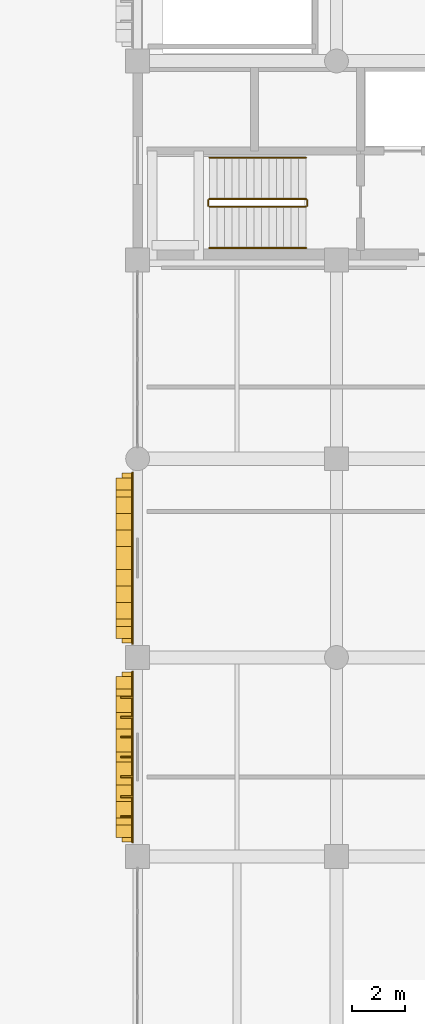
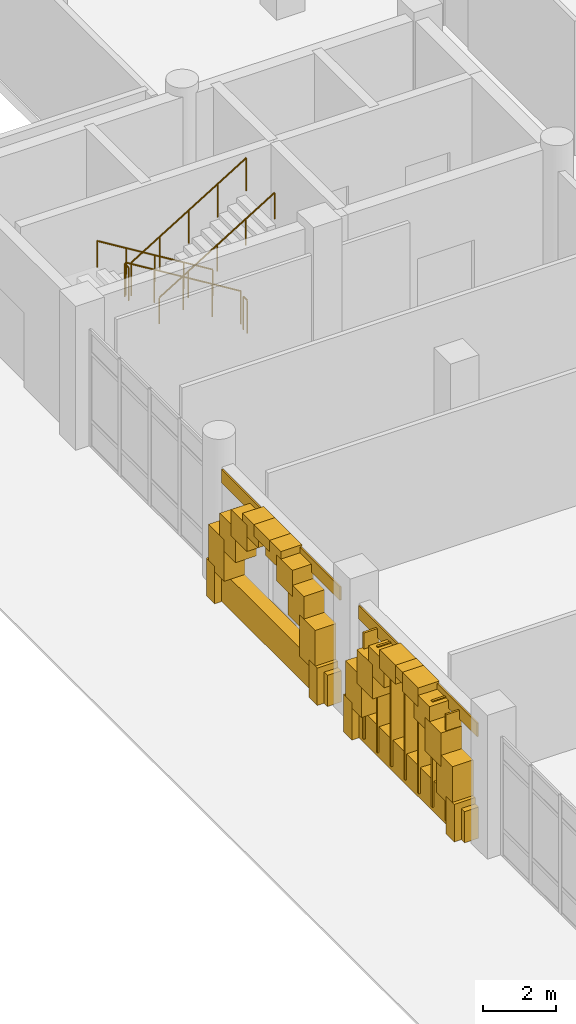
# One storey, part 103 of 125: 26 coverings, 7 shading devices, 6 railings.
"""IFC4 building model written with IfcOpenShell, lengths in metres."""

from ifc_helpers import new_model, si_unit, direction, frame, origin, origin_2d, place, context, subcontext, project, spatial, rectangle, circle, extrude, material, layer, layer_set, type_object, element, save


model = new_model("IFC4")

# Units and contexts
model_context = context("Model", 3, precision=1e-05, world=origin(), true_north=direction((0.0, 1.0)))
body_context = subcontext(model_context, "Body", "Model", "MODEL_VIEW")
ifc_project = project(units=[si_unit("LENGTHUNIT", "METRE"), si_unit("AREAUNIT", "SQUARE_METRE"), si_unit("VOLUMEUNIT", "CUBIC_METRE"), si_unit("PLANEANGLEUNIT", "RADIAN"), si_unit("MASSUNIT", "GRAM", prefix="KILO")], contexts=[model_context])

# Site, building, storey
site_placement = place(None, origin())
site = spatial("IfcSite", under=ifc_project, at=site_placement, CompositionType="ELEMENT")
building_placement = place(site_placement, origin())
building = spatial("IfcBuilding", under=site, at=building_placement, Name="Dalvernix Boulevard General Hospital", CompositionType="ELEMENT")
storey_placement = place(building_placement, origin())
storey = spatial("IfcBuildingStorey", under=building, at=storey_placement, Name="L00", CompositionType="ELEMENT", Elevation=0.0)

# Coverings
ifc_material_1 = material(Name="Pressed Catalan clay brick and dressed limestone parabolic archivolt", Category="masonry")
ifc_layer_1 = layer(ifc_material_1, 0.419921875)
ifc_layer_set_1 = layer_set([ifc_layer_1], Name="Pressed Catalan clay brick and dressed limestone parabolic archivolt (COV-ARC-01)")
covering_type_1 = type_object("IfcCoveringType", Name="COV-ARC-01", PredefinedType="CLADDING", material=ifc_layer_set_1)
for number, where, z_axis, x_axis, name in (
    (1, (-0.485107421875, 32.449951171875, 0.0), (0.0, 0.0, 1.0), (0.0, 1.0, 0.0), "L00 Catalan parabolic arch impost pier W 0-4-L"),
    (2, (-0.485107421875, 38.050048828125, 0.0), (0.0, 0.0, 1.0), (0.0, 1.0, 0.0), "L00 Catalan parabolic arch impost pier W 0-4-R"),
):
    element("IfcCovering", number, at=place(storey_placement, frame(where, z_axis=z_axis, x_axis=x_axis)), inside=storey, type_object=covering_type_1, Name=name, PredefinedType="CLADDING", context=body_context, shape_type="SweptSolid", body=[
        extrude(rectangle(XDim=0.4599609375, YDim=0.659912109375, at=origin_2d()), origin(), (0.0, 0.0, 1.0), 1.25),
    ])
covering_1_placement = place(storey_placement, frame((-0.485107421875, 32.760986328125, 1.06005859375), z_axis=(0.0, 0.0, 1.0), x_axis=(0.0, 1.0, 0.0)))
element("IfcCovering", 3, at=covering_1_placement, inside=storey, type_object=covering_type_1, Name="L00 Catalan parabolic archivolt voussoir W 0-4-1", PredefinedType="CLADDING", context=body_context, shape_type="SweptSolid", body=[
    extrude(rectangle(XDim=0.8623046875, YDim=0.659912109375, at=origin_2d()), origin(), (0.0, 0.0, 1.0), 1.37939453125),
])
covering_2_placement = place(storey_placement, frame((-0.485107421875, 33.38330078125, 2.0595703125), z_axis=(0.0, 0.0, 1.0), x_axis=(0.0, 1.0, 0.0)))
element("IfcCovering", 4, at=covering_2_placement, inside=storey, type_object=covering_type_1, Name="L00 Catalan parabolic archivolt voussoir W 0-4-2", PredefinedType="CLADDING", context=body_context, shape_type="SweptSolid", body=[
    extrude(rectangle(XDim=0.8623046875, YDim=0.659912109375, at=origin_2d()), origin(), (0.0, 0.0, 1.0), 1.129638671875),
])
covering_3_placement = place(storey_placement, frame((-0.485107421875, 34.005615234375, 2.80908203125), z_axis=(0.0, 0.0, 1.0), x_axis=(0.0, 1.0, 0.0)))
element("IfcCovering", 5, at=covering_3_placement, inside=storey, type_object=covering_type_1, Name="L00 Catalan parabolic archivolt voussoir W 0-4-3", PredefinedType="CLADDING", context=body_context, shape_type="SweptSolid", body=[
    extrude(rectangle(XDim=0.8623046875, YDim=0.659912109375, at=origin_2d()), origin(), (0.0, 0.0, 1.0), 0.8798828125),
])
covering_4_placement = place(storey_placement, frame((-0.485107421875, 34.627685546875, 3.308837890625), z_axis=(0.0, 0.0, 1.0), x_axis=(0.0, 1.0, 0.0)))
element("IfcCovering", 6, at=covering_4_placement, inside=storey, type_object=covering_type_1, Name="L00 Catalan parabolic archivolt voussoir W 0-4-4", PredefinedType="CLADDING", context=body_context, shape_type="SweptSolid", body=[
    extrude(rectangle(XDim=0.8623046875, YDim=0.659912109375, at=origin_2d()), origin(), (0.0, 0.0, 1.0), 0.6298828125),
])
covering_5_placement = place(storey_placement, frame((-0.485107421875, 35.25, 3.558837890625), z_axis=(0.0, 0.0, 1.0), x_axis=(0.0, 1.0, 0.0)))
element("IfcCovering", 7, at=covering_5_placement, inside=storey, type_object=covering_type_1, Name="L00 Catalan parabolic archivolt voussoir W 0-4-5", PredefinedType="CLADDING", context=body_context, shape_type="SweptSolid", body=[
    extrude(rectangle(XDim=0.8623046875, YDim=0.659912109375, at=origin_2d()), origin(), (0.0, 0.0, 1.0), 0.3798828125),
])
covering_6_placement = place(storey_placement, frame((-0.485107421875, 35.872314453125, 3.308837890625), z_axis=(0.0, 0.0, 1.0), x_axis=(0.0, 1.0, 0.0)))
element("IfcCovering", 8, at=covering_6_placement, inside=storey, type_object=covering_type_1, Name="L00 Catalan parabolic archivolt voussoir W 0-4-6", PredefinedType="CLADDING", context=body_context, shape_type="SweptSolid", body=[
    extrude(rectangle(XDim=0.8623046875, YDim=0.659912109375, at=origin_2d()), origin(), (0.0, 0.0, 1.0), 0.6298828125),
])
covering_7_placement = place(storey_placement, frame((-0.485107421875, 36.494384765625, 2.80908203125), z_axis=(0.0, 0.0, 1.0), x_axis=(0.0, 1.0, 0.0)))
element("IfcCovering", 9, at=covering_7_placement, inside=storey, type_object=covering_type_1, Name="L00 Catalan parabolic archivolt voussoir W 0-4-7", PredefinedType="CLADDING", context=body_context, shape_type="SweptSolid", body=[
    extrude(rectangle(XDim=0.8623046875, YDim=0.659912109375, at=origin_2d()), origin(), (0.0, 0.0, 1.0), 0.8798828125),
])
covering_8_placement = place(storey_placement, frame((-0.485107421875, 37.11669921875, 2.0595703125), z_axis=(0.0, 0.0, 1.0), x_axis=(0.0, 1.0, 0.0)))
element("IfcCovering", 10, at=covering_8_placement, inside=storey, type_object=covering_type_1, Name="L00 Catalan parabolic archivolt voussoir W 0-4-8", PredefinedType="CLADDING", context=body_context, shape_type="SweptSolid", body=[
    extrude(rectangle(XDim=0.8623046875, YDim=0.659912109375, at=origin_2d()), origin(), (0.0, 0.0, 1.0), 1.129638671875),
])
covering_9_placement = place(storey_placement, frame((-0.485107421875, 37.739013671875, 1.06005859375), z_axis=(0.0, 0.0, 1.0), x_axis=(0.0, 1.0, 0.0)))
element("IfcCovering", 11, at=covering_9_placement, inside=storey, type_object=covering_type_1, Name="L00 Catalan parabolic archivolt voussoir W 0-4-9", PredefinedType="CLADDING", context=body_context, shape_type="SweptSolid", body=[
    extrude(rectangle(XDim=0.8623046875, YDim=0.659912109375, at=origin_2d()), origin(), (0.0, 0.0, 1.0), 1.37939453125),
])
for number, where, z_axis, x_axis, name in (
    (12, (-0.485107421875, 39.949951171875, 0.0), (0.0, 0.0, 1.0), (0.0, 1.0, 0.0), "L00 Catalan parabolic arch impost pier W 0-5-L"),
    (13, (-0.485107421875, 45.550048828125, 0.0), (0.0, 0.0, 1.0), (0.0, 1.0, 0.0), "L00 Catalan parabolic arch impost pier W 0-5-R"),
):
    element("IfcCovering", number, at=place(storey_placement, frame(where, z_axis=z_axis, x_axis=x_axis)), inside=storey, type_object=covering_type_1, Name=name, PredefinedType="CLADDING", context=body_context, shape_type="SweptSolid", body=[
        extrude(rectangle(XDim=0.4599609375, YDim=0.659912109375, at=origin_2d()), origin(), (0.0, 0.0, 1.0), 1.25),
    ])
covering_10_placement = place(storey_placement, frame((-0.485107421875, 40.260986328125, 1.06005859375), z_axis=(0.0, 0.0, 1.0), x_axis=(0.0, 1.0, 0.0)))
element("IfcCovering", 14, at=covering_10_placement, inside=storey, type_object=covering_type_1, Name="L00 Catalan parabolic archivolt voussoir W 0-5-1", PredefinedType="CLADDING", context=body_context, shape_type="SweptSolid", body=[
    extrude(rectangle(XDim=0.8623046875, YDim=0.659912109375, at=origin_2d()), origin(), (0.0, 0.0, 1.0), 1.37939453125),
])
covering_11_placement = place(storey_placement, frame((-0.485107421875, 40.88330078125, 2.0595703125), z_axis=(0.0, 0.0, 1.0), x_axis=(0.0, 1.0, 0.0)))
element("IfcCovering", 15, at=covering_11_placement, inside=storey, type_object=covering_type_1, Name="L00 Catalan parabolic archivolt voussoir W 0-5-2", PredefinedType="CLADDING", context=body_context, shape_type="SweptSolid", body=[
    extrude(rectangle(XDim=0.8623046875, YDim=0.659912109375, at=origin_2d()), origin(), (0.0, 0.0, 1.0), 1.129638671875),
])
covering_12_placement = place(storey_placement, frame((-0.485107421875, 41.505615234375, 2.80908203125), z_axis=(0.0, 0.0, 1.0), x_axis=(0.0, 1.0, 0.0)))
element("IfcCovering", 16, at=covering_12_placement, inside=storey, type_object=covering_type_1, Name="L00 Catalan parabolic archivolt voussoir W 0-5-3", PredefinedType="CLADDING", context=body_context, shape_type="SweptSolid", body=[
    extrude(rectangle(XDim=0.8623046875, YDim=0.659912109375, at=origin_2d()), origin(), (0.0, 0.0, 1.0), 0.8798828125),
])
covering_13_placement = place(storey_placement, frame((-0.485107421875, 42.127685546875, 3.308837890625), z_axis=(0.0, 0.0, 1.0), x_axis=(0.0, 1.0, 0.0)))
element("IfcCovering", 17, at=covering_13_placement, inside=storey, type_object=covering_type_1, Name="L00 Catalan parabolic archivolt voussoir W 0-5-4", PredefinedType="CLADDING", context=body_context, shape_type="SweptSolid", body=[
    extrude(rectangle(XDim=0.8623046875, YDim=0.659912109375, at=origin_2d()), origin(), (0.0, 0.0, 1.0), 0.6298828125),
])
covering_14_placement = place(storey_placement, frame((-0.485107421875, 42.75, 3.558837890625), z_axis=(0.0, 0.0, 1.0), x_axis=(0.0, 1.0, 0.0)))
element("IfcCovering", 18, at=covering_14_placement, inside=storey, type_object=covering_type_1, Name="L00 Catalan parabolic archivolt voussoir W 0-5-5", PredefinedType="CLADDING", context=body_context, shape_type="SweptSolid", body=[
    extrude(rectangle(XDim=0.8623046875, YDim=0.659912109375, at=origin_2d()), origin(), (0.0, 0.0, 1.0), 0.3798828125),
])
covering_15_placement = place(storey_placement, frame((-0.485107421875, 43.372314453125, 3.308837890625), z_axis=(0.0, 0.0, 1.0), x_axis=(0.0, 1.0, 0.0)))
element("IfcCovering", 19, at=covering_15_placement, inside=storey, type_object=covering_type_1, Name="L00 Catalan parabolic archivolt voussoir W 0-5-6", PredefinedType="CLADDING", context=body_context, shape_type="SweptSolid", body=[
    extrude(rectangle(XDim=0.8623046875, YDim=0.659912109375, at=origin_2d()), origin(), (0.0, 0.0, 1.0), 0.6298828125),
])
covering_16_placement = place(storey_placement, frame((-0.485107421875, 43.994384765625, 2.80908203125), z_axis=(0.0, 0.0, 1.0), x_axis=(0.0, 1.0, 0.0)))
element("IfcCovering", 20, at=covering_16_placement, inside=storey, type_object=covering_type_1, Name="L00 Catalan parabolic archivolt voussoir W 0-5-7", PredefinedType="CLADDING", context=body_context, shape_type="SweptSolid", body=[
    extrude(rectangle(XDim=0.8623046875, YDim=0.659912109375, at=origin_2d()), origin(), (0.0, 0.0, 1.0), 0.8798828125),
])
covering_17_placement = place(storey_placement, frame((-0.485107421875, 44.61669921875, 2.0595703125), z_axis=(0.0, 0.0, 1.0), x_axis=(0.0, 1.0, 0.0)))
element("IfcCovering", 21, at=covering_17_placement, inside=storey, type_object=covering_type_1, Name="L00 Catalan parabolic archivolt voussoir W 0-5-8", PredefinedType="CLADDING", context=body_context, shape_type="SweptSolid", body=[
    extrude(rectangle(XDim=0.8623046875, YDim=0.659912109375, at=origin_2d()), origin(), (0.0, 0.0, 1.0), 1.129638671875),
])
covering_18_placement = place(storey_placement, frame((-0.485107421875, 45.239013671875, 1.06005859375), z_axis=(0.0, 0.0, 1.0), x_axis=(0.0, 1.0, 0.0)))
element("IfcCovering", 22, at=covering_18_placement, inside=storey, type_object=covering_type_1, Name="L00 Catalan parabolic archivolt voussoir W 0-5-9", PredefinedType="CLADDING", context=body_context, shape_type="SweptSolid", body=[
    extrude(rectangle(XDim=0.8623046875, YDim=0.659912109375, at=origin_2d()), origin(), (0.0, 0.0, 1.0), 1.37939453125),
])
ifc_material_2 = material(Name="Polychrome Catalan glazed ceramic spandrel tile panel")
ifc_layer_2 = layer(ifc_material_2, 0.044921875)
ifc_layer_set_2 = layer_set([ifc_layer_2], Name="Polychrome Catalan glazed ceramic spandrel tile panel (COV-CLD-01)")
covering_type_2 = type_object("IfcCoveringType", Name="COV-CLD-01", PredefinedType="CLADDING", material=ifc_layer_set_2)
for number, where, z_axis, x_axis, name in (
    (23, (-0.195068359375, 35.25, 3.4248046875), (0.0, 0.0, 1.0), (0.0, 1.0, 0.0), "L00 polychrome ceramic spandrel W 0-4"),
    (24, (-0.195068359375, 42.75, 3.4248046875), (0.0, 0.0, 1.0), (0.0, 1.0, 0.0), "L00 polychrome ceramic spandrel W 0-5"),
):
    element("IfcCovering", number, at=place(storey_placement, frame(where, z_axis=z_axis, x_axis=x_axis)), inside=storey, type_object=covering_type_2, Name=name, PredefinedType="CLADDING", context=body_context, shape_type="SweptSolid", body=[
        extrude(rectangle(XDim=6.47998046875, YDim=0.044921875, at=origin_2d()), origin(), (0.0, 0.0, 1.0), 0.449951171875),
    ])
ifc_material_3 = material(Name="Dressed ochre limestone classical plinth, stringcourse and corbelled cornice", Category="masonry")
ifc_layer_3 = layer(ifc_material_3, 0.449951171875)
ifc_layer_set_3 = layer_set([ifc_layer_3], Name="Dressed ochre limestone classical plinth, stringcourse and corbelled cornice (COV-CRN-01)")
covering_type_3 = type_object("IfcCoveringType", Name="COV-CRN-01", PredefinedType="CLADDING", material=ifc_layer_set_3)
for number, where, z_axis, x_axis, name in (
    (25, (-0.375, 35.25, 0.0), (0.0, 0.0, 1.0), (0.0, 1.0, 0.0), "L00 rusticated limestone classical plinth W 0-4"),
    (26, (-0.375, 42.75, 0.0), (0.0, 0.0, 1.0), (0.0, 1.0, 0.0), "L00 rusticated limestone classical plinth W 0-5"),
):
    element("IfcCovering", number, at=place(storey_placement, frame(where, z_axis=z_axis, x_axis=x_axis)), inside=storey, type_object=covering_type_3, Name=name, PredefinedType="CLADDING", context=body_context, shape_type="SweptSolid", body=[
        extrude(rectangle(XDim=6.419921875, YDim=0.43994140625, at=origin_2d()), origin(), (0.0, 0.0, 1.0), 1.0400390625),
    ])

# Railings
ifc_material_4 = material(Name="Brushed stainless steel balustrade", Category="steel")
railing_type_1 = type_object("IfcRailingType", Name="RL-GR-INT1", PredefinedType="BALUSTRADE", material=ifc_material_4)
railing_1_placement = place(storey_placement, frame((6.35009765625, 56.300048828125, 0.17138671875)))
element("IfcRailing", 27, at=railing_1_placement, inside=storey, type_object=railing_type_1, Name="L00 ST-02 stair guard 1", PredefinedType="BALUSTRADE", context=body_context, shape_type="SweptSolid", body=[
    extrude(circle(Radius=0.02392578125, at=origin_2d()), frame((0.0, 0.0, 1.09619140625), z_axis=(-0.852865859571, 0.0, 0.52213008492), x_axis=(0.0, -1.0, 0.0)), (0.0, 0.0, 1.0), 4.26806640625),
    extrude(circle(Radius=0.02099609375, at=origin_2d()), origin(), (0.0, 0.0, 1.0), 1.072021484375),
    extrude(circle(Radius=0.02099609375, at=origin_2d()), frame((-0.91015625, 0.0, 0.55712890625)), (0.0, 0.0, 1.0), 1.072021484375),
    extrude(circle(Radius=0.02099609375, at=origin_2d()), frame((-1.820068359375, 0.0, 1.1142578125)), (0.0, 0.0, 1.0), 1.072021484375),
    extrude(circle(Radius=0.02099609375, at=origin_2d()), frame((-2.72998046875, 0.0, 1.67138671875)), (0.0, 0.0, 1.0), 1.072021484375),
    extrude(circle(Radius=0.02099609375, at=origin_2d()), frame((-3.64013671875, 0.0, 2.228515625)), (0.0, 0.0, 1.0), 1.072021484375),
])
railing_2_placement = place(storey_placement, frame((2.659912109375, 56.25, 2.39990234375)))
element("IfcRailing", 28, at=railing_2_placement, inside=storey, type_object=railing_type_1, Name="L00 ST-02 stair guard 2", PredefinedType="BALUSTRADE", context=body_context, shape_type="SweptSolid", body=[
    extrude(circle(Radius=0.02392578125, at=origin_2d()), frame((0.0, 0.0, 1.09619140625), z_axis=(0.0, -1.0, 0.0), x_axis=(1.0, 0.0, 0.0)), (0.0, 0.0, 1.0), 0.199951171875),
    extrude(circle(Radius=0.02099609375, at=origin_2d()), origin(), (0.0, 0.0, 1.0), 1.072021484375),
    extrude(circle(Radius=0.02099609375, at=origin_2d()), frame((0.0, -0.199951171875, 0.0)), (0.0, 0.0, 1.0), 1.072021484375),
])
railing_3_placement = place(storey_placement, frame((2.7099609375, 56.0, 2.571533203125)))
element("IfcRailing", 29, at=railing_3_placement, inside=storey, type_object=railing_type_1, Name="L00 ST-02 stair guard 3", PredefinedType="BALUSTRADE", context=body_context, shape_type="SweptSolid", body=[
    extrude(circle(Radius=0.02392578125, at=origin_2d()), frame((0.0, 0.0, 1.09619140625), z_axis=(0.852865859571, 0.0, 0.52213008492), x_axis=(0.0, 1.0, 0.0)), (0.0, 0.0, 1.0), 4.26806640625),
    extrude(circle(Radius=0.02099609375, at=origin_2d()), origin(), (0.0, 0.0, 1.0), 1.072021484375),
    extrude(circle(Radius=0.02099609375, at=origin_2d()), frame((0.91015625, 0.0, 0.55712890625)), (0.0, 0.0, 1.0), 1.072021484375),
    extrude(circle(Radius=0.02099609375, at=origin_2d()), frame((1.820068359375, 0.0, 1.1142578125)), (0.0, 0.0, 1.0), 1.072021484375),
    extrude(circle(Radius=0.02099609375, at=origin_2d()), frame((2.72998046875, 0.0, 1.67138671875)), (0.0, 0.0, 1.0), 1.072021484375),
    extrude(circle(Radius=0.02099609375, at=origin_2d()), frame((3.64013671875, 0.0, 2.228515625)), (0.0, 0.0, 1.0), 1.072021484375),
])
railing_4_placement = place(storey_placement, frame((6.39990234375, 56.25, 0.0)))
element("IfcRailing", 30, at=railing_4_placement, inside=storey, type_object=railing_type_1, Name="L00 ST-02 stair guard 4", PredefinedType="BALUSTRADE", context=body_context, shape_type="SweptSolid", body=[
    extrude(circle(Radius=0.02392578125, at=origin_2d()), frame((0.0, 0.0, 1.09619140625), z_axis=(0.0, -1.0, 0.0), x_axis=(1.0, 0.0, 0.0)), (0.0, 0.0, 1.0), 0.199951171875),
    extrude(circle(Radius=0.02099609375, at=origin_2d()), origin(), (0.0, 0.0, 1.0), 1.072021484375),
    extrude(circle(Radius=0.02099609375, at=origin_2d()), frame((0.0, -0.199951171875, 0.0)), (0.0, 0.0, 1.0), 1.072021484375),
])
ifc_material_5 = material(Name="Brushed stainless steel wall handrail", Category="steel")
railing_type_2 = type_object("IfcRailingType", Name="RL-HR-INT1", PredefinedType="HANDRAIL", material=ifc_material_5)
railing_5_placement = place(storey_placement, frame((6.35009765625, 57.85009765625, 0.17138671875)))
element("IfcRailing", 31, at=railing_5_placement, inside=storey, type_object=railing_type_2, Name="L00 ST-02 stair handrail 1", PredefinedType="HANDRAIL", context=body_context, shape_type="SweptSolid", body=[
    extrude(circle(Radius=0.02392578125, at=origin_2d()), frame((0.0, 0.0, 0.8759765625), z_axis=(-0.852865859571, 0.0, 0.52213008492), x_axis=(0.0, -1.0, 0.0)), (0.0, 0.0, 1.0), 4.26806640625),
    extrude(circle(Radius=0.02099609375, at=origin_2d()), origin(), (0.0, 0.0, 1.0), 0.851806640625),
    extrude(circle(Radius=0.02099609375, at=origin_2d()), frame((-0.91015625, 0.0, 0.55712890625)), (0.0, 0.0, 1.0), 0.851806640625),
    extrude(circle(Radius=0.02099609375, at=origin_2d()), frame((-1.820068359375, 0.0, 1.1142578125)), (0.0, 0.0, 1.0), 0.851806640625),
    extrude(circle(Radius=0.02099609375, at=origin_2d()), frame((-2.72998046875, 0.0, 1.67138671875)), (0.0, 0.0, 1.0), 0.851806640625),
    extrude(circle(Radius=0.02099609375, at=origin_2d()), frame((-3.64013671875, 0.0, 2.228515625)), (0.0, 0.0, 1.0), 0.851806640625),
])
railing_6_placement = place(storey_placement, frame((2.7099609375, 54.449951171875, 2.571533203125)))
element("IfcRailing", 32, at=railing_6_placement, inside=storey, type_object=railing_type_2, Name="L00 ST-02 stair handrail 2", PredefinedType="HANDRAIL", context=body_context, shape_type="SweptSolid", body=[
    extrude(circle(Radius=0.02392578125, at=origin_2d()), frame((0.0, 0.0, 0.8759765625), z_axis=(0.852865859571, 0.0, 0.52213008492), x_axis=(0.0, 1.0, 0.0)), (0.0, 0.0, 1.0), 4.26806640625),
    extrude(circle(Radius=0.02099609375, at=origin_2d()), origin(), (0.0, 0.0, 1.0), 0.851806640625),
    extrude(circle(Radius=0.02099609375, at=origin_2d()), frame((0.91015625, 0.0, 0.55712890625)), (0.0, 0.0, 1.0), 0.851806640625),
    extrude(circle(Radius=0.02099609375, at=origin_2d()), frame((1.820068359375, 0.0, 1.1142578125)), (0.0, 0.0, 1.0), 0.851806640625),
    extrude(circle(Radius=0.02099609375, at=origin_2d()), frame((2.72998046875, 0.0, 1.67138671875)), (0.0, 0.0, 1.0), 0.851806640625),
    extrude(circle(Radius=0.02099609375, at=origin_2d()), frame((3.64013671875, 0.0, 2.228515625)), (0.0, 0.0, 1.0), 0.851806640625),
])

# Shading devices
ifc_material_6 = material(Name="Preservative-treated West African iroko timber", Category="wood")
shading_device_type = type_object("IfcShadingDeviceType", Name="SHD-FIN-01", PredefinedType="USERDEFINED", material=ifc_material_6)
for number, where, z_axis, x_axis, name in (
    (33, (-0.405029296875, 33.0, 0.1748046875), (0.0, 0.0, 1.0), (0.0, 1.0, 0.0), "L00 iroko brise-soleil fin 1"),
    (34, (-0.405029296875, 33.75, 0.1748046875), (0.0, 0.0, 1.0), (0.0, 1.0, 0.0), "L00 iroko brise-soleil fin 2"),
    (35, (-0.405029296875, 34.5, 0.1748046875), (0.0, 0.0, 1.0), (0.0, 1.0, 0.0), "L00 iroko brise-soleil fin 3"),
    (36, (-0.405029296875, 35.25, 0.1748046875), (0.0, 0.0, 1.0), (0.0, 1.0, 0.0), "L00 iroko brise-soleil fin 4"),
    (37, (-0.405029296875, 36.0, 0.1748046875), (0.0, 0.0, 1.0), (0.0, 1.0, 0.0), "L00 iroko brise-soleil fin 5"),
    (38, (-0.405029296875, 36.75, 0.1748046875), (0.0, 0.0, 1.0), (0.0, 1.0, 0.0), "L00 iroko brise-soleil fin 6"),
    (39, (-0.405029296875, 37.5, 0.1748046875), (0.0, 0.0, 1.0), (0.0, 1.0, 0.0), "L00 iroko brise-soleil fin 7"),
):
    element("IfcShadingDevice", number, at=place(storey_placement, frame(where, z_axis=z_axis, x_axis=x_axis)), inside=storey, type_object=shading_device_type, Name=name, ObjectType="FIN", PredefinedType="USERDEFINED", context=body_context, shape_type="SweptSolid", body=[
        extrude(rectangle(XDim=0.06494140625, YDim=0.47998046875, at=origin_2d()), origin(), (0.0, 0.0, 1.0), 3.550048828125),
    ])

save(model, "model.ifc")
